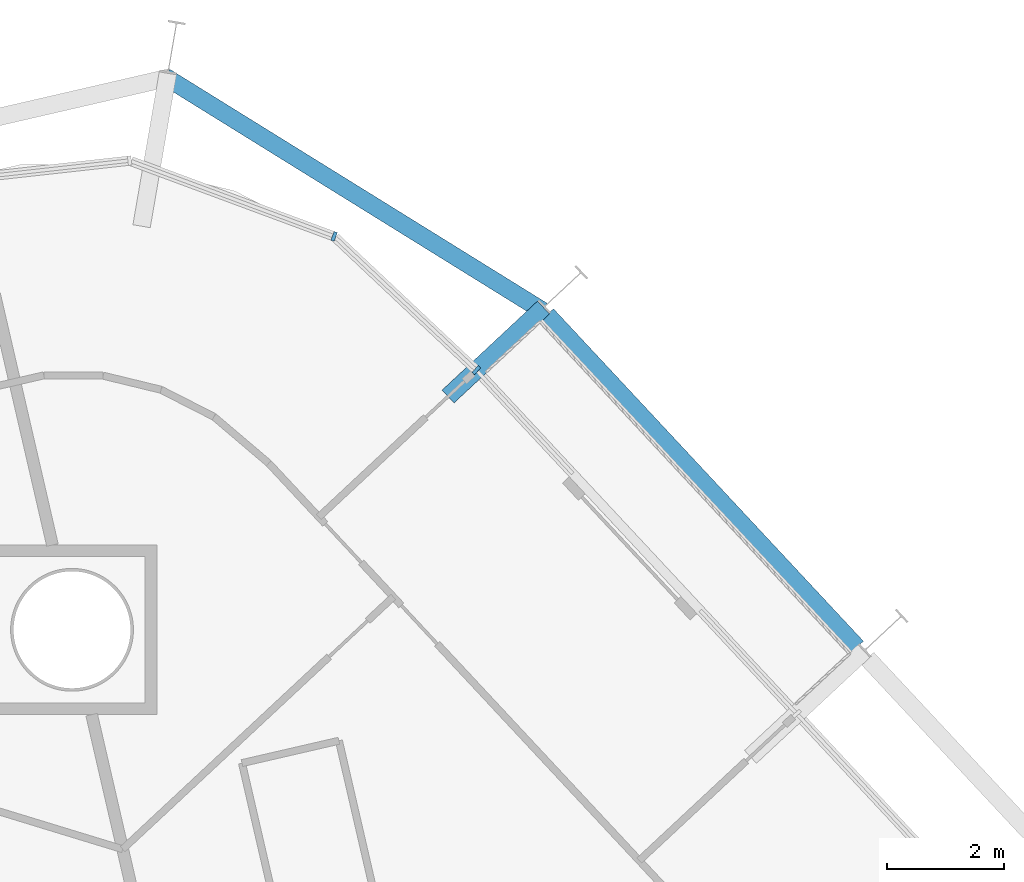
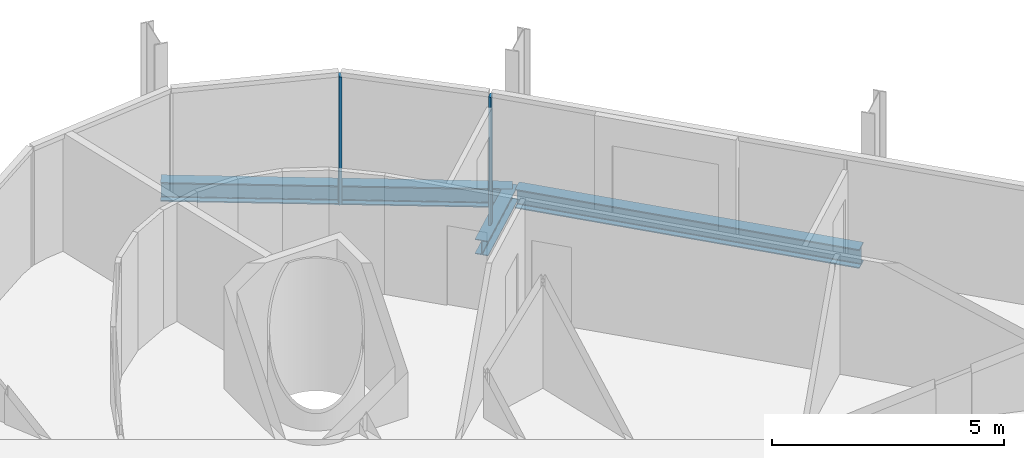
# One storey, part 8 of 18: 3 beams, 2 members, 1 element without a shape of its own.
"""IFC4 building model written with IfcOpenShell, lengths in metres."""

from ifc_helpers import new_model, si_unit, direction, frame, origin, origin_2d, place, context, subcontext, project, spatial, rectangle, i_section, extrude, material, layer, layer_set, material_profile, profile_set, type_object, element, aggregate, save


model = new_model("IFC4")

# Units and contexts
model_context = context("Model", 3, precision=1e-05, world=origin(), true_north=direction((0.0, 1.0)))
body_context = subcontext(model_context, "Body", "Model", "MODEL_VIEW")
ifc_project = project(units=[si_unit("LENGTHUNIT", "METRE"), si_unit("AREAUNIT", "SQUARE_METRE"), si_unit("VOLUMEUNIT", "CUBIC_METRE"), si_unit("PLANEANGLEUNIT", "RADIAN"), si_unit("MASSUNIT", "GRAM", prefix="KILO")], contexts=[model_context])

# Site, building, storey
site_placement = place(None, origin())
site = spatial("IfcSite", under=ifc_project, at=site_placement, CompositionType="ELEMENT")
building_placement = place(site_placement, origin())
building = spatial("IfcBuilding", under=site, at=building_placement, Name="Spindle Arch Residences", CompositionType="ELEMENT")
storey_placement = place(building_placement, frame((0.0, 0.0, 120.39990234375)))
storey = spatial("IfcBuildingStorey", under=building, at=storey_placement, Name="L29", CompositionType="ELEMENT", Elevation=120.39990234375)

# Curtain wall, members
ifc_material_1 = material(Name="Aluminium bronze unitised frame with tinted glass", Category="aluminium")
ifc_layer = layer(ifc_material_1, 0.159912109375)
ifc_layer_set = layer_set([ifc_layer], Name="CW-D corner wall on the fillet arcs")
curtain_wall_type = type_object("IfcCurtainWallType", Name="CW-D corner wall on the fillet arcs", PredefinedType="NOTDEFINED", material=ifc_layer_set)
curtain_wall_placement = place(storey_placement, origin())
curtain_wall = element("IfcCurtainWall", 1, at=curtain_wall_placement, inside=storey, type_object=curtain_wall_type, Name="CW-D L29 run 3", PredefinedType="NOTDEFINED")
ifc_material_2 = material(Name="Aluminium bronze anodised mullion", Category="aluminium")
ifc_material_profile_1 = material_profile(ifc_material_2, rectangle(XDim=0.159912109375, YDim=0.06005859375, at=origin_2d()), Name="MU 60x160")
ifc_profile_set_1 = profile_set([ifc_material_profile_1], Name="Aluminium bronze anodised mullion")
member_type = type_object("IfcMemberType", Name="Bronze mullion 60x160", PredefinedType="MULLION", material=ifc_profile_set_1)
member_1_placement = place(storey_placement, frame((2.010009765625, 25.6611328125, -0.3798828125), z_axis=(0.0, 0.0, 1.0), x_axis=(-0.685289870681, -0.728270412102, 0.0)))
member_1 = element("IfcMember", 2, at=member_1_placement, type_object=member_type, Name="CW-D mullion 00", PredefinedType="MULLION", context=body_context, shape_type="SweptSolid", body=[
    extrude(rectangle(XDim=0.159912109375, YDim=0.06005859375, at=origin_2d()), origin(), (0.0, 0.0, 1.0), 3.3798828125),
])
member_2_placement = place(storey_placement, frame((-0.420654296875, 27.9482421875, -0.3798828125), z_axis=(0.0, 0.0, 1.0), x_axis=(-0.347481235896, -0.937686936403, 0.0)))
member_2 = element("IfcMember", 3, at=member_2_placement, type_object=member_type, Name="CW-D mullion 01", PredefinedType="MULLION", context=body_context, shape_type="SweptSolid", body=[
    extrude(rectangle(XDim=0.159912109375, YDim=0.06005859375, at=origin_2d()), origin(), (0.0, 0.0, 1.0), 3.3798828125),
])
aggregate(curtain_wall, [member_1, member_2])

# Beams
ifc_material_3 = material(Name="Steel S460ML, intumescent coating R 120", Category="steel")
ifc_material_profile_2 = material_profile(ifc_material_3, i_section(OverallWidth=0.300048828125, OverallDepth=0.5, WebThickness=0.014404296875, FlangeThickness=0.028076171875, FilletRadius=0.027099609375, at=origin_2d()), Name="HEB 500")
ifc_profile_set_2 = profile_set([ifc_material_profile_2], Name="Steel S460ML, intumescent coating R 120")
beam_type_1 = type_object("IfcBeamType", Name="Exoskeleton edge beam HEB 500", PredefinedType="BEAM", material=ifc_profile_set_2)
beam_1_placement = place(storey_placement, frame((8.51611328125, 20.927490234375, -0.6298828125), z_axis=(-0.681975565737, 0.731374957007, 0.0), x_axis=(-0.731374957007, -0.681975565737, 0.0)))
element("IfcBeam", 4, at=beam_1_placement, inside=storey, type_object=beam_type_1, Name="Exoskeleton edge beam 9", PredefinedType="BEAM", context=body_context, shape_type="SweptSolid", body=[
    extrude(i_section(OverallWidth=0.300048828125, OverallDepth=0.5, WebThickness=0.014404296875, FlangeThickness=0.028076171875, FilletRadius=0.027099609375, at=origin_2d()), origin(), (0.0, 0.0, 1.0), 7.76904296875),
])
beam_2_placement = place(storey_placement, frame((3.14404296875, 26.67626953125, -0.6298828125), z_axis=(-0.849846805049, 0.52702979797, 0.0), x_axis=(-0.52702979797, -0.849846805049, 0.0)))
element("IfcBeam", 5, at=beam_2_placement, inside=storey, type_object=beam_type_1, Name="Exoskeleton edge beam 10", PredefinedType="BEAM", context=body_context, shape_type="SweptSolid", body=[
    extrude(i_section(OverallWidth=0.300048828125, OverallDepth=0.5, WebThickness=0.014404296875, FlangeThickness=0.028076171875, FilletRadius=0.027099609375, at=origin_2d()), origin(), (0.0, 0.0, 1.0), 7.591552734375),
])
ifc_material_4 = material(Name="Steel S460ML, intumescent coating R 120", Category="steel")
ifc_material_profile_3 = material_profile(ifc_material_4, i_section(OverallWidth=0.300048828125, OverallDepth=0.389892578125, WebThickness=0.010986328125, FlangeThickness=0.01904296875, FilletRadius=0.027099609375, at=origin_2d()), Name="HEA 400")
ifc_profile_set_3 = profile_set([ifc_material_profile_3], Name="Steel S460ML, intumescent coating R 120")
beam_type_2 = type_object("IfcBeamType", Name="Floor outrigger HEA 400", PredefinedType="BEAM", material=ifc_profile_set_3)
beam_3_placement = place(storey_placement, frame((3.158203125, 26.73193359375, -0.574951171875), z_axis=(-0.73130638013, -0.682049102618, 0.0), x_axis=(0.682049102618, -0.73130638013, 0.0)))
element("IfcBeam", 6, at=beam_3_placement, inside=storey, type_object=beam_type_2, Name="Floor outrigger 10", PredefinedType="BEAM", context=body_context, shape_type="SweptSolid", body=[
    extrude(i_section(OverallWidth=0.300048828125, OverallDepth=0.389892578125, WebThickness=0.010986328125, FlangeThickness=0.01904296875, FilletRadius=0.027099609375, at=origin_2d()), origin(), (0.0, 0.0, 1.0), 2.23046875),
])

save(model, "model.ifc")
